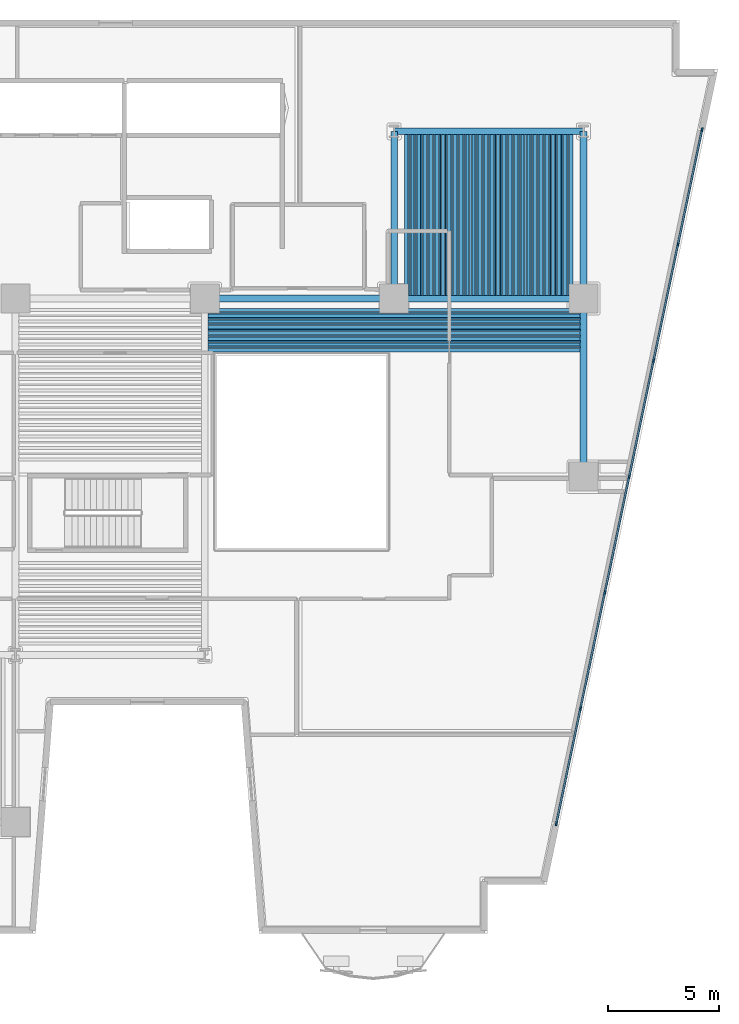
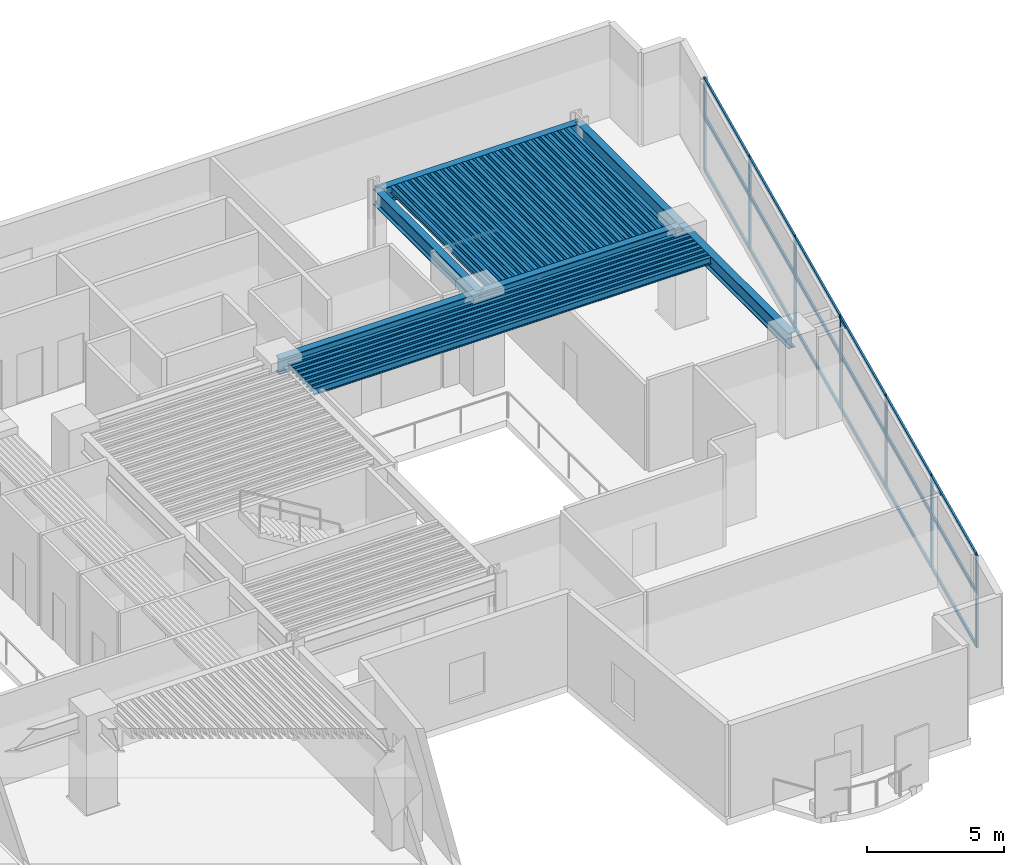
# One storey, part 2 of 11: 76 beams, 25 members, 1 element without a shape of its own.
"""IFC4 building model written with IfcOpenShell, lengths in metres."""

import ifcopenshell
import ifcopenshell.guid

model = None  # the IFC model being written
_history = None  # IfcOwnerHistory: only IFC2X3 demands one
_inside = {}  # id of a spatial element -> (the spatial element, [elements in it])
_under = {}  # id of a project, library or spatial element -> (it, [spatial elements below it])
_declared = {}  # id of a project -> (the project, [libraries it declares])
_typed = {}  # id of a type object -> (the type object, [elements of that type])
_made_of = {}  # id of a material, layer set ... -> (it, [elements and type objects made of it])


def new_model(schema):
    """Start an empty IFC model of exactly this schema.

    Asked for "IFC4X3", IfcOpenShell would pick the latest addendum, in which some entities
    have other attributes; the version numbers below select the first issue.
    IFC2X3 requires an IfcOwnerHistory on every rooted entity: one is made here for all.
    """
    global model, _history
    if schema == "IFC4X3":
        model = ifcopenshell.file(schema_version=(4, 3, 0, 0))
    else:
        model = ifcopenshell.file(schema=schema)
    _inside.clear()
    _under.clear()
    _declared.clear()
    _typed.clear()
    _made_of.clear()
    _history = None
    if model.schema == "IFC2X3":
        org = make("IfcOrganization", Name="unknown")
        user = make(
            "IfcPersonAndOrganization",
            ThePerson=make("IfcPerson", FamilyName="unknown"),
            TheOrganization=org,
        )
        app = make(
            "IfcApplication",
            ApplicationDeveloper=org,
            Version="unknown",
            ApplicationFullName="unknown",
            ApplicationIdentifier="unknown",
        )
        _history = make(
            "IfcOwnerHistory",
            OwningUser=user,
            OwningApplication=app,
            ChangeAction="ADDED",
            CreationDate=0,
        )
    return model


def make(cls, **values):
    """One entity of the class cls with the attributes given. An attribute that is None is left unset."""
    return model.create_entity(
        cls, **{name: value for name, value in values.items() if value is not None}
    )


def rooted(cls, **values):
    """An entity with a GlobalId (a new one), such as an element, a storey or a relation."""
    return make(cls, GlobalId=ifcopenshell.guid.new(), OwnerHistory=_history, **values)


def si_unit(unit_type, name, prefix=None):
    """IfcSIUnit, for example si_unit("LENGTHUNIT", "METRE", prefix="MILLI")."""
    return make("IfcSIUnit", UnitType=unit_type, Prefix=prefix, Name=name)


def assignment(units):
    """IfcUnitAssignment: the units of a project."""
    return None if units is None else make("IfcUnitAssignment", Units=units)


def point(xyz):
    """IfcCartesianPoint."""
    return None if xyz is None else make("IfcCartesianPoint", Coordinates=xyz)


def direction(xyz):
    """IfcDirection."""
    return None if xyz is None else make("IfcDirection", DirectionRatios=xyz)


def frame(location, z_axis=None, x_axis=None):
    """IfcAxis2Placement3D, a coordinate frame: its origin and axes. An axis left out is left unset."""
    return make(
        "IfcAxis2Placement3D",
        Location=point(location),
        Axis=direction(z_axis),
        RefDirection=direction(x_axis),
    )


def frame_2d(location, x_axis=None):
    """IfcAxis2Placement2D, a coordinate frame in the plane: its origin and x axis."""
    return make(
        "IfcAxis2Placement2D", Location=point(location), RefDirection=direction(x_axis)
    )


def origin():
    """The frame at (0, 0, 0) with its axes left unset."""
    return frame((0.0, 0.0, 0.0))


def origin_2d():
    """The frame at (0, 0) in the plane with its x axis left unset."""
    return frame_2d((0.0, 0.0))


def place(relative_to, where):
    """IfcLocalPlacement: puts the frame where relative to a parent placement (None: the world)."""
    return make(
        "IfcLocalPlacement", PlacementRelTo=relative_to, RelativePlacement=where
    )


def context(
    kind, dimensions, precision=None, world=None, true_north=None, identifier=None
):
    """IfcGeometricRepresentationContext, for example the 3D "Model" context."""
    return make(
        "IfcGeometricRepresentationContext",
        ContextIdentifier=identifier,
        ContextType=kind,
        CoordinateSpaceDimension=dimensions,
        Precision=precision,
        WorldCoordinateSystem=world,
        TrueNorth=true_north,
    )


def subcontext(parent, identifier, kind, view, scale=None):
    """IfcGeometricRepresentationSubContext, for example "Body" below "Model"."""
    return make(
        "IfcGeometricRepresentationSubContext",
        ContextIdentifier=identifier,
        ContextType=kind,
        ParentContext=parent,
        TargetScale=scale,
        TargetView=view,
    )


def project(units=None, contexts=None):
    """IfcProject with its units and contexts."""
    return rooted(
        "IfcProject",
        Name="project",
        RepresentationContexts=contexts,
        UnitsInContext=assignment(units),
    )


def spatial(cls, under=None, at=None, **own):
    """A site, building, storey or space (cls), placed at a placement, below another one or the project."""
    s = rooted(cls, ObjectPlacement=at, **own)
    if under is not None:
        _under.setdefault(under.id(), (under, []))[1].append(s)
    return s


def profile(cls, at=None, kind="AREA", **sizes):
    """A parametric profile (cls). Its sizes go by their IFC names, for example OverallWidth=200.0."""
    return make(cls, ProfileType=kind, Position=at, **sizes)


def rectangle(**sizes):
    """IfcRectangleProfileDef."""
    return profile("IfcRectangleProfileDef", **sizes)


def hollow_rectangle(**sizes):
    """IfcRectangleHollowProfileDef."""
    return profile("IfcRectangleHollowProfileDef", **sizes)


def i_section(**sizes):
    """IfcIShapeProfileDef."""
    return profile("IfcIShapeProfileDef", **sizes)


def extrude(swept, where, along, depth):
    """IfcExtrudedAreaSolid: the profile swept, set in the frame where, extruded along a direction by depth."""
    return make(
        "IfcExtrudedAreaSolid",
        SweptArea=swept,
        Position=where,
        ExtrudedDirection=direction(along),
        Depth=depth,
    )


def shape(context_of_items, identifier, shape_type, items):
    """IfcShapeRepresentation: the items that make up one representation, for example the "Body"."""
    return make(
        "IfcShapeRepresentation",
        ContextOfItems=context_of_items,
        RepresentationIdentifier=identifier,
        RepresentationType=shape_type,
        Items=items,
    )


def material(Name=None, Category=None):
    """IfcMaterial."""
    return make("IfcMaterial", Name=Name, Category=Category)


def layer(
    of_material, thickness, ventilated=None, Name=None, Category=None, Priority=None
):
    """IfcMaterialLayer: one layer of a wall or slab, of a material (None: an air gap)."""
    return make(
        "IfcMaterialLayer",
        Material=of_material,
        LayerThickness=thickness,
        IsVentilated=ventilated,
        Name=Name,
        Category=Category,
        Priority=Priority,
    )


def layer_set(layers, Name=None):
    """IfcMaterialLayerSet."""
    return make("IfcMaterialLayerSet", MaterialLayers=layers, LayerSetName=Name)


def material_profile(
    of_material, cross_section, Name=None, Category=None, Priority=None
):
    """IfcMaterialProfile: a cross section and its material."""
    return make(
        "IfcMaterialProfile",
        Name=Name,
        Material=of_material,
        Profile=cross_section,
        Priority=Priority,
        Category=Category,
    )


def profile_set(profiles, Name=None, composite=None):
    """IfcMaterialProfileSet."""
    return make(
        "IfcMaterialProfileSet",
        Name=Name,
        MaterialProfiles=profiles,
        CompositeProfile=composite,
    )


def made_of(thing, what):
    """Note that an element or type object is made of a material, layer set ...; save() writes the relation."""
    if what is not None:
        _made_of.setdefault(what.id(), (what, []))[1].append(thing)
    return thing


def type_object(cls, material=None, **own):
    """A type object (cls), such as IfcWallType, which elements share."""
    return made_of(rooted(cls, **own), material)


def element(
    cls,
    number,
    at=None,
    inside=None,
    cuts=None,
    type_object=None,
    material=None,
    context=None,
    identifier="Body",
    shape_type=None,
    held_by="IfcProductDefinitionShape",
    body=None,
    shapes=None,
    **own,
):
    """One element of the class cls, such as IfcWall. Its Tag is "e" and its number.

    at: its placement. inside: the storey or other place that contains it. cuts: it is an
    opening in that element (IfcRelVoidsElement). A single representation is given by context,
    identifier, shape_type and body (its items); several are given by shapes. held_by: the class
    of the entity that holds the representations. save() writes the other relations.
    """
    e = rooted(cls, Tag="e%d" % number, ObjectPlacement=at, **own)
    if body is not None:
        shapes = [shape(context, identifier, shape_type, body)]
    if shapes is not None:
        e.Representation = make(held_by, Representations=shapes)
    if inside is not None:
        _inside.setdefault(inside.id(), (inside, []))[1].append(e)
    if cuts is not None:
        rooted(
            "IfcRelVoidsElement", RelatingBuildingElement=cuts, RelatedOpeningElement=e
        )
    if type_object is not None:
        _typed.setdefault(type_object.id(), (type_object, []))[1].append(e)
    return made_of(e, material)


def aggregate(whole, parts):
    """IfcRelAggregates: a whole, such as a stair, and the parts it consists of."""
    return rooted("IfcRelAggregates", RelatingObject=whole, RelatedObjects=parts)


def save(model, path):
    """Write the relations noted so far, then the file.

    IfcRelAggregates (storeys below a building ...), IfcRelContainedInSpatialStructure (elements
    in a storey), IfcRelDefinesByType, IfcRelAssociatesMaterial and IfcRelDeclares: one each for
    every whole, place, type object, material and project.
    """
    for whole, parts in _under.values():
        aggregate(whole, parts)
    for where, things in _inside.values():
        rooted(
            "IfcRelContainedInSpatialStructure",
            RelatedElements=things,
            RelatingStructure=where,
        )
    for kind, things in _typed.values():
        rooted("IfcRelDefinesByType", RelatedObjects=things, RelatingType=kind)
    for what, things in _made_of.values():
        rooted("IfcRelAssociatesMaterial", RelatedObjects=things, RelatingMaterial=what)
    for by, libraries in _declared.values():
        rooted("IfcRelDeclares", RelatingContext=by, RelatedDefinitions=libraries)
    model.write(path)


model = new_model("IFC4")

# Units and contexts
model_context = context("Model", 3, precision=1e-05, world=origin(), true_north=direction((0.0, 1.0)))
body_context = subcontext(model_context, "Body", "Model", "MODEL_VIEW")
ifc_project = project(units=[si_unit("LENGTHUNIT", "METRE"), si_unit("AREAUNIT", "SQUARE_METRE"), si_unit("VOLUMEUNIT", "CUBIC_METRE"), si_unit("PLANEANGLEUNIT", "RADIAN"), si_unit("MASSUNIT", "GRAM", prefix="KILO")], contexts=[model_context])

# Site, building, storey
site_placement = place(None, origin())
site = spatial("IfcSite", under=ifc_project, at=site_placement, CompositionType="ELEMENT")
building_placement = place(site_placement, origin())
building = spatial("IfcBuilding", under=site, at=building_placement, Name="Caeloran Harvest Quay", CompositionType="ELEMENT")
storey_placement = place(building_placement, frame((0.0, 0.0, 40.199951171875)))
storey = spatial("IfcBuildingStorey", under=building, at=storey_placement, Name="L09", CompositionType="ELEMENT", Elevation=40.199951171875)

# Beams
ifc_material_1 = material(Name="Steel S355J2", Category="steel")
ifc_material_profile_1 = material_profile(ifc_material_1, i_section(OverallWidth=0.300048828125, OverallDepth=0.699951171875, WebThickness=0.01708984375, FlangeThickness=0.031982421875, FilletRadius=0.027099609375, at=origin_2d()), Name="HE 700 B")
ifc_profile_set_1 = profile_set([ifc_material_profile_1], Name="Steel S355J2")
beam_type_1 = type_object("IfcBeamType", Name="BM-PG-2-HE_700_B", PredefinedType="BEAM", material=ifc_profile_set_1)
for number, where, z_axis, x_axis, name in (
    (1, (34.0, 31.0, 3.75), (1.0, 0.0, 0.0), (0.0, 1.0, 0.0), "L09 Primary East-West Girder Y=31.0"),
    (2, (42.5, 31.0, 3.75), (1.0, 0.0, 0.0), (0.0, 1.0, 0.0), "L09 Primary East-West Girder Y=31.0"),
    (3, (42.5, 38.5, 3.75), (1.0, 0.0, 0.0), (0.0, 1.0, 0.0), "L09 Primary East-West Girder Y=38.5"),
):
    element("IfcBeam", number, at=place(storey_placement, frame(where, z_axis=z_axis, x_axis=x_axis)), inside=storey, type_object=beam_type_1, Name=name, PredefinedType="BEAM", context=body_context, shape_type="SweptSolid", body=[
        extrude(i_section(OverallWidth=0.300048828125, OverallDepth=0.699951171875, WebThickness=0.01708984375, FlangeThickness=0.031982421875, FilletRadius=0.027099609375, at=origin_2d()), origin(), (0.0, 0.0, 1.0), 8.5),
    ])
beam_1_placement = place(storey_placement, frame((42.5, 31.0, 3.75), z_axis=(0.0, 1.0, 0.0), x_axis=(-1.0, 0.0, 0.0)))
element("IfcBeam", 4, at=beam_1_placement, inside=storey, type_object=beam_type_1, Name="L09 Primary North-South Girder X=42.5", PredefinedType="BEAM", context=body_context, shape_type="SweptSolid", body=[
    extrude(i_section(OverallWidth=0.300048828125, OverallDepth=0.699951171875, WebThickness=0.01708984375, FlangeThickness=0.031982421875, FilletRadius=0.027099609375, at=origin_2d()), origin(), (0.0, 0.0, 1.0), 7.5),
])
beam_2_placement = place(storey_placement, frame((51.0, 23.0, 3.75), z_axis=(0.0, 1.0, 0.0), x_axis=(-1.0, 0.0, 0.0)))
element("IfcBeam", 5, at=beam_2_placement, inside=storey, type_object=beam_type_1, Name="L09 Primary North-South Girder X=51.0", PredefinedType="BEAM", context=body_context, shape_type="SweptSolid", body=[
    extrude(i_section(OverallWidth=0.300048828125, OverallDepth=0.699951171875, WebThickness=0.01708984375, FlangeThickness=0.031982421875, FilletRadius=0.027099609375, at=origin_2d()), origin(), (0.0, 0.0, 1.0), 8.0),
])
beam_3_placement = place(storey_placement, frame((51.0, 31.0, 3.75), z_axis=(0.0, 1.0, 0.0), x_axis=(-1.0, 0.0, 0.0)))
element("IfcBeam", 6, at=beam_3_placement, inside=storey, type_object=beam_type_1, Name="L09 Primary North-South Girder X=51.0", PredefinedType="BEAM", context=body_context, shape_type="SweptSolid", body=[
    extrude(i_section(OverallWidth=0.300048828125, OverallDepth=0.699951171875, WebThickness=0.01708984375, FlangeThickness=0.031982421875, FilletRadius=0.027099609375, at=origin_2d()), origin(), (0.0, 0.0, 1.0), 7.5),
])
ifc_material_profile_2 = material_profile(ifc_material_1, i_section(OverallWidth=0.14990234375, OverallDepth=0.300048828125, WebThickness=0.007080078125, FlangeThickness=0.0107421875, FilletRadius=0.014892578125, at=origin_2d()), Name="IPE 300")
ifc_profile_set_2 = profile_set([ifc_material_profile_2], Name="Steel S355J2")
beam_type_2 = type_object("IfcBeamType", Name="BM-SB-6-IPE_300", PredefinedType="JOIST", material=ifc_profile_set_2)
for number, where, z_axis, x_axis, name in (
    (7, (43.04833984375, 31.14501953125, 3.949951171875), (0.0, 1.0, 0.0), (-1.0, 0.0, 0.0), "L09 Secondary Composite Joist"),
    (8, (43.322509765625, 31.14501953125, 3.949951171875), (0.0, 1.0, 0.0), (-1.0, 0.0, 0.0), "L09 Secondary Composite Joist"),
    (9, (43.5966796875, 31.14501953125, 3.949951171875), (0.0, 1.0, 0.0), (-1.0, 0.0, 0.0), "L09 Secondary Composite Joist"),
    (10, (43.87109375, 31.14501953125, 3.949951171875), (0.0, 1.0, 0.0), (-1.0, 0.0, 0.0), "L09 Secondary Composite Joist"),
    (11, (44.145263671875, 31.14501953125, 3.949951171875), (0.0, 1.0, 0.0), (-1.0, 0.0, 0.0), "L09 Secondary Composite Joist"),
    (12, (44.41943359375, 31.14501953125, 3.949951171875), (0.0, 1.0, 0.0), (-1.0, 0.0, 0.0), "L09 Secondary Composite Joist"),
    (13, (44.693603515625, 31.14501953125, 3.949951171875), (0.0, 1.0, 0.0), (-1.0, 0.0, 0.0), "L09 Secondary Composite Joist"),
    (14, (44.9677734375, 31.14501953125, 3.949951171875), (0.0, 1.0, 0.0), (-1.0, 0.0, 0.0), "L09 Secondary Composite Joist"),
    (15, (45.241943359375, 31.14501953125, 3.949951171875), (0.0, 1.0, 0.0), (-1.0, 0.0, 0.0), "L09 Secondary Composite Joist"),
    (16, (45.51611328125, 31.14501953125, 3.949951171875), (0.0, 1.0, 0.0), (-1.0, 0.0, 0.0), "L09 Secondary Composite Joist"),
    (17, (45.790283203125, 31.14501953125, 3.949951171875), (0.0, 1.0, 0.0), (-1.0, 0.0, 0.0), "L09 Secondary Composite Joist"),
    (18, (46.064453125, 31.14501953125, 3.949951171875), (0.0, 1.0, 0.0), (-1.0, 0.0, 0.0), "L09 Secondary Composite Joist"),
    (19, (46.338623046875, 31.14501953125, 3.949951171875), (0.0, 1.0, 0.0), (-1.0, 0.0, 0.0), "L09 Secondary Composite Joist"),
    (20, (46.61279296875, 31.14501953125, 3.949951171875), (0.0, 1.0, 0.0), (-1.0, 0.0, 0.0), "L09 Secondary Composite Joist"),
    (21, (46.88720703125, 31.14501953125, 3.949951171875), (0.0, 1.0, 0.0), (-1.0, 0.0, 0.0), "L09 Secondary Composite Joist"),
    (22, (47.161376953125, 31.14501953125, 3.949951171875), (0.0, 1.0, 0.0), (-1.0, 0.0, 0.0), "L09 Secondary Composite Joist"),
    (23, (47.435546875, 31.14501953125, 3.949951171875), (0.0, 1.0, 0.0), (-1.0, 0.0, 0.0), "L09 Secondary Composite Joist"),
    (24, (47.709716796875, 31.14501953125, 3.949951171875), (0.0, 1.0, 0.0), (-1.0, 0.0, 0.0), "L09 Secondary Composite Joist"),
    (25, (47.98388671875, 31.14501953125, 3.949951171875), (0.0, 1.0, 0.0), (-1.0, 0.0, 0.0), "L09 Secondary Composite Joist"),
    (26, (48.258056640625, 31.14501953125, 3.949951171875), (0.0, 1.0, 0.0), (-1.0, 0.0, 0.0), "L09 Secondary Composite Joist"),
    (27, (48.5322265625, 31.14501953125, 3.949951171875), (0.0, 1.0, 0.0), (-1.0, 0.0, 0.0), "L09 Secondary Composite Joist"),
    (28, (48.806396484375, 31.14501953125, 3.949951171875), (0.0, 1.0, 0.0), (-1.0, 0.0, 0.0), "L09 Secondary Composite Joist"),
    (29, (49.08056640625, 31.14501953125, 3.949951171875), (0.0, 1.0, 0.0), (-1.0, 0.0, 0.0), "L09 Secondary Composite Joist"),
    (30, (49.354736328125, 31.14501953125, 3.949951171875), (0.0, 1.0, 0.0), (-1.0, 0.0, 0.0), "L09 Secondary Composite Joist"),
    (31, (49.62890625, 31.14501953125, 3.949951171875), (0.0, 1.0, 0.0), (-1.0, 0.0, 0.0), "L09 Secondary Composite Joist"),
    (32, (49.9033203125, 31.14501953125, 3.949951171875), (0.0, 1.0, 0.0), (-1.0, 0.0, 0.0), "L09 Secondary Composite Joist"),
    (33, (50.177490234375, 31.14501953125, 3.949951171875), (0.0, 1.0, 0.0), (-1.0, 0.0, 0.0), "L09 Secondary Composite Joist"),
    (34, (50.45166015625, 31.14501953125, 3.949951171875), (0.0, 1.0, 0.0), (-1.0, 0.0, 0.0), "L09 Secondary Composite Joist"),
):
    element("IfcBeam", number, at=place(storey_placement, frame(where, z_axis=z_axis, x_axis=x_axis)), inside=storey, type_object=beam_type_2, Name=name, PredefinedType="JOIST", context=body_context, shape_type="SweptSolid", body=[
        extrude(i_section(OverallWidth=0.14990234375, OverallDepth=0.300048828125, WebThickness=0.007080078125, FlangeThickness=0.0107421875, FilletRadius=0.014892578125, at=origin_2d()), origin(), (0.0, 0.0, 1.0), 7.2099609375),
    ])
for number, where, z_axis, x_axis, name in (
    (35, (34.14501953125, 28.677490234375, 3.949951171875), (1.0, 0.0, 0.0), (0.0, 1.0, 0.0), "L09 Secondary East-West Composite Joist"),
    (36, (34.14501953125, 28.935546875, 3.949951171875), (1.0, 0.0, 0.0), (0.0, 1.0, 0.0), "L09 Secondary East-West Composite Joist"),
    (37, (34.14501953125, 29.193603515625, 3.949951171875), (1.0, 0.0, 0.0), (0.0, 1.0, 0.0), "L09 Secondary East-West Composite Joist"),
    (38, (34.14501953125, 29.45166015625, 3.949951171875), (1.0, 0.0, 0.0), (0.0, 1.0, 0.0), "L09 Secondary East-West Composite Joist"),
    (39, (34.14501953125, 29.709716796875, 3.949951171875), (1.0, 0.0, 0.0), (0.0, 1.0, 0.0), "L09 Secondary East-West Composite Joist"),
    (40, (34.14501953125, 29.9677734375, 3.949951171875), (1.0, 0.0, 0.0), (0.0, 1.0, 0.0), "L09 Secondary East-West Composite Joist"),
    (41, (34.14501953125, 30.225830078125, 3.949951171875), (1.0, 0.0, 0.0), (0.0, 1.0, 0.0), "L09 Secondary East-West Composite Joist"),
    (42, (34.14501953125, 30.48388671875, 3.949951171875), (1.0, 0.0, 0.0), (0.0, 1.0, 0.0), "L09 Secondary East-West Composite Joist"),
):
    element("IfcBeam", number, at=place(storey_placement, frame(where, z_axis=z_axis, x_axis=x_axis)), inside=storey, type_object=beam_type_2, Name=name, PredefinedType="JOIST", context=body_context, shape_type="SweptSolid", body=[
        extrude(i_section(OverallWidth=0.14990234375, OverallDepth=0.300048828125, WebThickness=0.007080078125, FlangeThickness=0.0107421875, FilletRadius=0.014892578125, at=origin_2d()), origin(), (0.0, 0.0, 1.0), 16.7099609375),
    ])
ifc_material_profile_3 = material_profile(ifc_material_1, hollow_rectangle(XDim=0.080078125, YDim=0.199951171875, WallThickness=0.006103515625, InnerFilletRadius=0.006103515625, OuterFilletRadius=0.009033203125, at=origin_2d()), Name="RHS 200x80x6")
ifc_profile_set_3 = profile_set([ifc_material_profile_3], Name="Steel S355J2")
beam_type_3 = type_object("IfcBeamType", Name="BM-SB-7-RHS_200x80x6", PredefinedType="JOIST", material=ifc_profile_set_3)
for number, where, z_axis, x_axis, name in (
    (43, (43.185546875, 31.14501953125, 4.0), (0.0, 1.0, 0.0), (-1.0, 0.0, 0.0), "L09 Secondary Composite Joist"),
    (44, (43.459716796875, 31.14501953125, 4.0), (0.0, 1.0, 0.0), (-1.0, 0.0, 0.0), "L09 Secondary Composite Joist"),
    (45, (43.73388671875, 31.14501953125, 4.0), (0.0, 1.0, 0.0), (-1.0, 0.0, 0.0), "L09 Secondary Composite Joist"),
    (46, (44.008056640625, 31.14501953125, 4.0), (0.0, 1.0, 0.0), (-1.0, 0.0, 0.0), "L09 Secondary Composite Joist"),
    (47, (44.2822265625, 31.14501953125, 4.0), (0.0, 1.0, 0.0), (-1.0, 0.0, 0.0), "L09 Secondary Composite Joist"),
    (48, (44.556396484375, 31.14501953125, 4.0), (0.0, 1.0, 0.0), (-1.0, 0.0, 0.0), "L09 Secondary Composite Joist"),
    (49, (44.83056640625, 31.14501953125, 4.0), (0.0, 1.0, 0.0), (-1.0, 0.0, 0.0), "L09 Secondary Composite Joist"),
    (50, (45.104736328125, 31.14501953125, 4.0), (0.0, 1.0, 0.0), (-1.0, 0.0, 0.0), "L09 Secondary Composite Joist"),
    (51, (45.37890625, 31.14501953125, 4.0), (0.0, 1.0, 0.0), (-1.0, 0.0, 0.0), "L09 Secondary Composite Joist"),
    (52, (45.6533203125, 31.14501953125, 4.0), (0.0, 1.0, 0.0), (-1.0, 0.0, 0.0), "L09 Secondary Composite Joist"),
    (53, (45.927490234375, 31.14501953125, 4.0), (0.0, 1.0, 0.0), (-1.0, 0.0, 0.0), "L09 Secondary Composite Joist"),
    (54, (46.20166015625, 31.14501953125, 4.0), (0.0, 1.0, 0.0), (-1.0, 0.0, 0.0), "L09 Secondary Composite Joist"),
    (55, (46.475830078125, 31.14501953125, 4.0), (0.0, 1.0, 0.0), (-1.0, 0.0, 0.0), "L09 Secondary Composite Joist"),
    (56, (46.75, 31.14501953125, 4.0), (0.0, 1.0, 0.0), (-1.0, 0.0, 0.0), "L09 Secondary Composite Joist"),
    (57, (47.024169921875, 31.14501953125, 4.0), (0.0, 1.0, 0.0), (-1.0, 0.0, 0.0), "L09 Secondary Composite Joist"),
    (58, (47.29833984375, 31.14501953125, 4.0), (0.0, 1.0, 0.0), (-1.0, 0.0, 0.0), "L09 Secondary Composite Joist"),
    (59, (47.572509765625, 31.14501953125, 4.0), (0.0, 1.0, 0.0), (-1.0, 0.0, 0.0), "L09 Secondary Composite Joist"),
    (60, (47.8466796875, 31.14501953125, 4.0), (0.0, 1.0, 0.0), (-1.0, 0.0, 0.0), "L09 Secondary Composite Joist"),
    (61, (48.12109375, 31.14501953125, 4.0), (0.0, 1.0, 0.0), (-1.0, 0.0, 0.0), "L09 Secondary Composite Joist"),
    (62, (48.395263671875, 31.14501953125, 4.0), (0.0, 1.0, 0.0), (-1.0, 0.0, 0.0), "L09 Secondary Composite Joist"),
    (63, (48.66943359375, 31.14501953125, 4.0), (0.0, 1.0, 0.0), (-1.0, 0.0, 0.0), "L09 Secondary Composite Joist"),
    (64, (48.943603515625, 31.14501953125, 4.0), (0.0, 1.0, 0.0), (-1.0, 0.0, 0.0), "L09 Secondary Composite Joist"),
    (65, (49.2177734375, 31.14501953125, 4.0), (0.0, 1.0, 0.0), (-1.0, 0.0, 0.0), "L09 Secondary Composite Joist"),
    (66, (49.491943359375, 31.14501953125, 4.0), (0.0, 1.0, 0.0), (-1.0, 0.0, 0.0), "L09 Secondary Composite Joist"),
    (67, (49.76611328125, 31.14501953125, 4.0), (0.0, 1.0, 0.0), (-1.0, 0.0, 0.0), "L09 Secondary Composite Joist"),
    (68, (50.040283203125, 31.14501953125, 4.0), (0.0, 1.0, 0.0), (-1.0, 0.0, 0.0), "L09 Secondary Composite Joist"),
    (69, (50.314453125, 31.14501953125, 4.0), (0.0, 1.0, 0.0), (-1.0, 0.0, 0.0), "L09 Secondary Composite Joist"),
):
    element("IfcBeam", number, at=place(storey_placement, frame(where, z_axis=z_axis, x_axis=x_axis)), inside=storey, type_object=beam_type_3, Name=name, PredefinedType="JOIST", context=body_context, shape_type="SweptSolid", body=[
        extrude(hollow_rectangle(XDim=0.080078125, YDim=0.199951171875, WallThickness=0.006103515625, InnerFilletRadius=0.006103515625, OuterFilletRadius=0.009033203125, at=origin_2d()), origin(), (0.0, 0.0, 1.0), 7.2099609375),
    ])
for number, where, z_axis, x_axis, name in (
    (70, (34.14501953125, 28.806396484375, 4.0), (1.0, 0.0, 0.0), (0.0, 1.0, 0.0), "L09 Secondary East-West Composite Joist"),
    (71, (34.14501953125, 29.064453125, 4.0), (1.0, 0.0, 0.0), (0.0, 1.0, 0.0), "L09 Secondary East-West Composite Joist"),
    (72, (34.14501953125, 29.322509765625, 4.0), (1.0, 0.0, 0.0), (0.0, 1.0, 0.0), "L09 Secondary East-West Composite Joist"),
    (73, (34.14501953125, 29.58056640625, 4.0), (1.0, 0.0, 0.0), (0.0, 1.0, 0.0), "L09 Secondary East-West Composite Joist"),
    (74, (34.14501953125, 29.838623046875, 4.0), (1.0, 0.0, 0.0), (0.0, 1.0, 0.0), "L09 Secondary East-West Composite Joist"),
    (75, (34.14501953125, 30.0966796875, 4.0), (1.0, 0.0, 0.0), (0.0, 1.0, 0.0), "L09 Secondary East-West Composite Joist"),
    (76, (34.14501953125, 30.354736328125, 4.0), (1.0, 0.0, 0.0), (0.0, 1.0, 0.0), "L09 Secondary East-West Composite Joist"),
):
    element("IfcBeam", number, at=place(storey_placement, frame(where, z_axis=z_axis, x_axis=x_axis)), inside=storey, type_object=beam_type_3, Name=name, PredefinedType="JOIST", context=body_context, shape_type="SweptSolid", body=[
        extrude(hollow_rectangle(XDim=0.080078125, YDim=0.199951171875, WallThickness=0.006103515625, InnerFilletRadius=0.006103515625, OuterFilletRadius=0.009033203125, at=origin_2d()), origin(), (0.0, 0.0, 1.0), 16.7099609375),
    ])

# Curtain wall, members
ifc_material_2 = material(Name="Aluminium 6063-T6 and Low-E Glazing", Category="aluminium")
ifc_layer = layer(ifc_material_2, 0.199951171875, Name="Aluminium 6063-T6 and Low-E Glazing")
ifc_layer_set = layer_set([ifc_layer], Name="Aluminium 6063-T6 and Low-E Glazing")
curtain_wall_type = type_object("IfcCurtainWallType", Name="CW-SYS-CW-2", PredefinedType="USERDEFINED", material=ifc_layer_set)
curtain_wall_placement = place(storey_placement, origin())
curtain_wall = element("IfcCurtainWall", 77, at=curtain_wall_placement, inside=storey, type_object=curtain_wall_type, Name="L09 Unitised Curtain Wall CW-2 Run 9", ObjectType="CURTAIN_WALL", PredefinedType="USERDEFINED")
ifc_material_3 = material(Name="Aluminium 6063-T6", Category="aluminium")
ifc_material_profile_4 = material_profile(ifc_material_3, rectangle(XDim=0.080078125, YDim=0.179931640625, at=origin_2d()), Name="CW-MULLION-180")
ifc_profile_set_4 = profile_set([ifc_material_profile_4], Name="Aluminium 6063-T6")
member_type_1 = type_object("IfcMemberType", Name="CW-MULLION-180", PredefinedType="MULLION", material=ifc_profile_set_4)
member_1_placement = place(storey_placement, frame((56.322509765625, 38.576416015625, 0.0), z_axis=(0.0, 0.0, 1.0), x_axis=(0.978639691881, -0.205582960081, 0.0)))
member_1 = element("IfcMember", 78, at=member_1_placement, type_object=member_type_1, Name="CW-2 mullion 1", PredefinedType="MULLION", context=body_context, shape_type="SweptSolid", body=[
    extrude(rectangle(XDim=0.080078125, YDim=0.179931640625, at=origin_2d()), origin(), (0.0, 0.0, 1.0), 4.10009765625),
])
member_2_placement = place(storey_placement, frame((55.2373046875, 33.410400390625, 0.0), z_axis=(0.0, 0.0, 1.0), x_axis=(0.978639691881, -0.205582960081, 0.0)))
member_2 = element("IfcMember", 79, at=member_2_placement, type_object=member_type_1, Name="CW-2 mullion 2", PredefinedType="MULLION", context=body_context, shape_type="SweptSolid", body=[
    extrude(rectangle(XDim=0.080078125, YDim=0.179931640625, at=origin_2d()), origin(), (0.0, 0.0, 1.0), 4.10009765625),
])
member_3_placement = place(storey_placement, frame((54.143798828125, 28.205078125, 0.0), z_axis=(0.0, 0.0, 1.0), x_axis=(0.978639691881, -0.205582960081, 0.0)))
member_3 = element("IfcMember", 80, at=member_3_placement, type_object=member_type_1, Name="CW-2 mullion 3", PredefinedType="MULLION", context=body_context, shape_type="SweptSolid", body=[
    extrude(rectangle(XDim=0.080078125, YDim=0.179931640625, at=origin_2d()), origin(), (0.0, 0.0, 1.0), 4.10009765625),
])
member_4_placement = place(storey_placement, frame((53.050537109375, 23.0, 0.0), z_axis=(0.0, 0.0, 1.0), x_axis=(0.978639691881, -0.205582960081, 0.0)))
member_4 = element("IfcMember", 81, at=member_4_placement, type_object=member_type_1, Name="CW-2 mullion 4", PredefinedType="MULLION", context=body_context, shape_type="SweptSolid", body=[
    extrude(rectangle(XDim=0.080078125, YDim=0.179931640625, at=origin_2d()), origin(), (0.0, 0.0, 1.0), 4.10009765625),
])
member_5_placement = place(storey_placement, frame((51.95703125, 17.794921875, 0.0), z_axis=(0.0, 0.0, 1.0), x_axis=(0.978639691881, -0.205582960081, 0.0)))
member_5 = element("IfcMember", 82, at=member_5_placement, type_object=member_type_1, Name="CW-2 mullion 5", PredefinedType="MULLION", context=body_context, shape_type="SweptSolid", body=[
    extrude(rectangle(XDim=0.080078125, YDim=0.179931640625, at=origin_2d()), origin(), (0.0, 0.0, 1.0), 4.10009765625),
])
member_6_placement = place(storey_placement, frame((50.863525390625, 12.589599609375, 0.0), z_axis=(0.0, 0.0, 1.0), x_axis=(0.978639691881, -0.205582960081, 0.0)))
member_6 = element("IfcMember", 83, at=member_6_placement, type_object=member_type_1, Name="CW-2 mullion 6", PredefinedType="MULLION", context=body_context, shape_type="SweptSolid", body=[
    extrude(rectangle(XDim=0.080078125, YDim=0.179931640625, at=origin_2d()), origin(), (0.0, 0.0, 1.0), 4.10009765625),
])
member_7_placement = place(storey_placement, frame((49.7783203125, 7.423583984375, 0.0), z_axis=(0.0, 0.0, 1.0), x_axis=(0.978639691881, -0.205582960081, 0.0)))
member_7 = element("IfcMember", 84, at=member_7_placement, type_object=member_type_1, Name="CW-2 mullion 7", PredefinedType="MULLION", context=body_context, shape_type="SweptSolid", body=[
    extrude(rectangle(XDim=0.080078125, YDim=0.179931640625, at=origin_2d()), origin(), (0.0, 0.0, 1.0), 4.10009765625),
])
ifc_material_profile_5 = material_profile(ifc_material_3, rectangle(XDim=0.080078125, YDim=0.14990234375, at=origin_2d()), Name="CW-TRANSOM-150")
ifc_profile_set_5 = profile_set([ifc_material_profile_5], Name="Aluminium 6063-T6")
member_type_2 = type_object("IfcMemberType", Name="CW-TRANSOM-150", PredefinedType="USERDEFINED", material=ifc_profile_set_5)
member_8_placement = place(storey_placement, frame((56.314453125, 38.537109375, 0.0400390625), z_axis=(-0.205598644178, -0.978636396989, 0.0), x_axis=(0.978636396989, -0.205598644178, 0.0)))
member_8 = element("IfcMember", 85, at=member_8_placement, type_object=member_type_2, Name="CW-2 transom 1.1", ObjectType="TRANSOM", PredefinedType="USERDEFINED", context=body_context, shape_type="SweptSolid", body=[
    extrude(rectangle(XDim=0.080078125, YDim=0.14990234375, at=origin_2d()), origin(), (0.0, 0.0, 1.0), 5.19873046875),
])
member_9_placement = place(storey_placement, frame((56.314453125, 38.537109375, 2.400146484375), z_axis=(-0.205598644178, -0.978636396989, 0.0), x_axis=(0.978636396989, -0.205598644178, 0.0)))
member_9 = element("IfcMember", 86, at=member_9_placement, type_object=member_type_2, Name="CW-2 transom 1.2", ObjectType="TRANSOM", PredefinedType="USERDEFINED", context=body_context, shape_type="SweptSolid", body=[
    extrude(rectangle(XDim=0.080078125, YDim=0.14990234375, at=origin_2d()), origin(), (0.0, 0.0, 1.0), 5.19873046875),
])
member_10_placement = place(storey_placement, frame((56.314453125, 38.537109375, 4.06005859375), z_axis=(-0.205598644178, -0.978636396989, 0.0), x_axis=(0.978636396989, -0.205598644178, 0.0)))
member_10 = element("IfcMember", 87, at=member_10_placement, type_object=member_type_2, Name="CW-2 transom 1.3", ObjectType="TRANSOM", PredefinedType="USERDEFINED", context=body_context, shape_type="SweptSolid", body=[
    extrude(rectangle(XDim=0.080078125, YDim=0.14990234375, at=origin_2d()), origin(), (0.0, 0.0, 1.0), 5.19873046875),
])
member_11_placement = place(storey_placement, frame((55.229248046875, 33.37109375, 0.0400390625), z_axis=(-0.205615877389, -0.97863277636, 0.0), x_axis=(0.97863277636, -0.205615877389, 0.0)))
member_11 = element("IfcMember", 88, at=member_11_placement, type_object=member_type_2, Name="CW-2 transom 2.1", ObjectType="TRANSOM", PredefinedType="USERDEFINED", context=body_context, shape_type="SweptSolid", body=[
    extrude(rectangle(XDim=0.080078125, YDim=0.14990234375, at=origin_2d()), origin(), (0.0, 0.0, 1.0), 5.238525390625),
])
member_12_placement = place(storey_placement, frame((55.229248046875, 33.37109375, 2.400146484375), z_axis=(-0.205615877389, -0.97863277636, 0.0), x_axis=(0.97863277636, -0.205615877389, 0.0)))
member_12 = element("IfcMember", 89, at=member_12_placement, type_object=member_type_2, Name="CW-2 transom 2.2", ObjectType="TRANSOM", PredefinedType="USERDEFINED", context=body_context, shape_type="SweptSolid", body=[
    extrude(rectangle(XDim=0.080078125, YDim=0.14990234375, at=origin_2d()), origin(), (0.0, 0.0, 1.0), 5.238525390625),
])
member_13_placement = place(storey_placement, frame((55.229248046875, 33.37109375, 4.06005859375), z_axis=(-0.205615877389, -0.97863277636, 0.0), x_axis=(0.97863277636, -0.205615877389, 0.0)))
member_13 = element("IfcMember", 90, at=member_13_placement, type_object=member_type_2, Name="CW-2 transom 2.3", ObjectType="TRANSOM", PredefinedType="USERDEFINED", context=body_context, shape_type="SweptSolid", body=[
    extrude(rectangle(XDim=0.080078125, YDim=0.14990234375, at=origin_2d()), origin(), (0.0, 0.0, 1.0), 5.238525390625),
])
member_14_placement = place(storey_placement, frame((54.1357421875, 28.166015625, 0.0400390625), z_axis=(-0.205606500081, -0.978634746534, 0.0), x_axis=(0.978634746534, -0.205606500081, 0.0)))
member_14 = element("IfcMember", 91, at=member_14_placement, type_object=member_type_2, Name="CW-2 transom 3.1", ObjectType="TRANSOM", PredefinedType="USERDEFINED", context=body_context, shape_type="SweptSolid", body=[
    extrude(rectangle(XDim=0.080078125, YDim=0.14990234375, at=origin_2d()), origin(), (0.0, 0.0, 1.0), 5.23876953125),
])
member_15_placement = place(storey_placement, frame((54.1357421875, 28.166015625, 2.400146484375), z_axis=(-0.205606500081, -0.978634746534, 0.0), x_axis=(0.978634746534, -0.205606500081, 0.0)))
member_15 = element("IfcMember", 92, at=member_15_placement, type_object=member_type_2, Name="CW-2 transom 3.2", ObjectType="TRANSOM", PredefinedType="USERDEFINED", context=body_context, shape_type="SweptSolid", body=[
    extrude(rectangle(XDim=0.080078125, YDim=0.14990234375, at=origin_2d()), origin(), (0.0, 0.0, 1.0), 5.23876953125),
])
member_16_placement = place(storey_placement, frame((54.1357421875, 28.166015625, 4.06005859375), z_axis=(-0.205606500081, -0.978634746534, 0.0), x_axis=(0.978634746534, -0.205606500081, 0.0)))
member_16 = element("IfcMember", 93, at=member_16_placement, type_object=member_type_2, Name="CW-2 transom 3.3", ObjectType="TRANSOM", PredefinedType="USERDEFINED", context=body_context, shape_type="SweptSolid", body=[
    extrude(rectangle(XDim=0.080078125, YDim=0.14990234375, at=origin_2d()), origin(), (0.0, 0.0, 1.0), 5.23876953125),
])
member_17_placement = place(storey_placement, frame((53.042236328125, 22.9609375, 0.0400390625), z_axis=(-0.205561867825, -0.978644122496, 0.0), x_axis=(0.978644122496, -0.205561867825, 0.0)))
member_17 = element("IfcMember", 94, at=member_17_placement, type_object=member_type_2, Name="CW-2 transom 4.1", ObjectType="TRANSOM", PredefinedType="USERDEFINED", context=body_context, shape_type="SweptSolid", body=[
    extrude(rectangle(XDim=0.080078125, YDim=0.14990234375, at=origin_2d()), origin(), (0.0, 0.0, 1.0), 5.23876953125),
])
member_18_placement = place(storey_placement, frame((53.042236328125, 22.9609375, 2.400146484375), z_axis=(-0.205561867825, -0.978644122496, 0.0), x_axis=(0.978644122496, -0.205561867825, 0.0)))
member_18 = element("IfcMember", 95, at=member_18_placement, type_object=member_type_2, Name="CW-2 transom 4.2", ObjectType="TRANSOM", PredefinedType="USERDEFINED", context=body_context, shape_type="SweptSolid", body=[
    extrude(rectangle(XDim=0.080078125, YDim=0.14990234375, at=origin_2d()), origin(), (0.0, 0.0, 1.0), 5.23876953125),
])
member_19_placement = place(storey_placement, frame((53.042236328125, 22.9609375, 4.06005859375), z_axis=(-0.205561867825, -0.978644122496, 0.0), x_axis=(0.978644122496, -0.205561867825, 0.0)))
member_19 = element("IfcMember", 96, at=member_19_placement, type_object=member_type_2, Name="CW-2 transom 4.3", ObjectType="TRANSOM", PredefinedType="USERDEFINED", context=body_context, shape_type="SweptSolid", body=[
    extrude(rectangle(XDim=0.080078125, YDim=0.14990234375, at=origin_2d()), origin(), (0.0, 0.0, 1.0), 5.23876953125),
])
member_20_placement = place(storey_placement, frame((51.94873046875, 17.755615234375, 0.0400390625), z_axis=(-0.205571243277, -0.978642153158, 0.0), x_axis=(0.978642153158, -0.205571243277, 0.0)))
member_20 = element("IfcMember", 97, at=member_20_placement, type_object=member_type_2, Name="CW-2 transom 5.1", ObjectType="TRANSOM", PredefinedType="USERDEFINED", context=body_context, shape_type="SweptSolid", body=[
    extrude(rectangle(XDim=0.080078125, YDim=0.14990234375, at=origin_2d()), origin(), (0.0, 0.0, 1.0), 5.238525390625),
])
member_21_placement = place(storey_placement, frame((51.94873046875, 17.755615234375, 2.400146484375), z_axis=(-0.205571243277, -0.978642153158, 0.0), x_axis=(0.978642153158, -0.205571243277, 0.0)))
member_21 = element("IfcMember", 98, at=member_21_placement, type_object=member_type_2, Name="CW-2 transom 5.2", ObjectType="TRANSOM", PredefinedType="USERDEFINED", context=body_context, shape_type="SweptSolid", body=[
    extrude(rectangle(XDim=0.080078125, YDim=0.14990234375, at=origin_2d()), origin(), (0.0, 0.0, 1.0), 5.238525390625),
])
member_22_placement = place(storey_placement, frame((51.94873046875, 17.755615234375, 4.06005859375), z_axis=(-0.205571243277, -0.978642153158, 0.0), x_axis=(0.978642153158, -0.205571243277, 0.0)))
member_22 = element("IfcMember", 99, at=member_22_placement, type_object=member_type_2, Name="CW-2 transom 5.3", ObjectType="TRANSOM", PredefinedType="USERDEFINED", context=body_context, shape_type="SweptSolid", body=[
    extrude(rectangle(XDim=0.080078125, YDim=0.14990234375, at=origin_2d()), origin(), (0.0, 0.0, 1.0), 5.238525390625),
])
member_23_placement = place(storey_placement, frame((50.855224609375, 12.550537109375, 0.0400390625), z_axis=(-0.205553666865, -0.978645845052, 0.0), x_axis=(0.978645845052, -0.205553666865, 0.0)))
member_23 = element("IfcMember", 100, at=member_23_placement, type_object=member_type_2, Name="CW-2 transom 6.1", ObjectType="TRANSOM", PredefinedType="USERDEFINED", context=body_context, shape_type="SweptSolid", body=[
    extrude(rectangle(XDim=0.080078125, YDim=0.14990234375, at=origin_2d()), origin(), (0.0, 0.0, 1.0), 5.19873046875),
])
member_24_placement = place(storey_placement, frame((50.855224609375, 12.550537109375, 2.400146484375), z_axis=(-0.205553666865, -0.978645845052, 0.0), x_axis=(0.978645845052, -0.205553666865, 0.0)))
member_24 = element("IfcMember", 101, at=member_24_placement, type_object=member_type_2, Name="CW-2 transom 6.2", ObjectType="TRANSOM", PredefinedType="USERDEFINED", context=body_context, shape_type="SweptSolid", body=[
    extrude(rectangle(XDim=0.080078125, YDim=0.14990234375, at=origin_2d()), origin(), (0.0, 0.0, 1.0), 5.19873046875),
])
member_25_placement = place(storey_placement, frame((50.855224609375, 12.550537109375, 4.06005859375), z_axis=(-0.205553666865, -0.978645845052, 0.0), x_axis=(0.978645845052, -0.205553666865, 0.0)))
member_25 = element("IfcMember", 102, at=member_25_placement, type_object=member_type_2, Name="CW-2 transom 6.3", ObjectType="TRANSOM", PredefinedType="USERDEFINED", context=body_context, shape_type="SweptSolid", body=[
    extrude(rectangle(XDim=0.080078125, YDim=0.14990234375, at=origin_2d()), origin(), (0.0, 0.0, 1.0), 5.19873046875),
])
aggregate(curtain_wall, [member_1, member_2, member_3, member_4, member_5, member_6, member_7, member_8, member_9, member_10, member_11, member_12, member_13, member_14, member_15, member_16, member_17, member_18, member_19, member_20, member_21, member_22, member_23, member_24, member_25])

save(model, "model.ifc")
